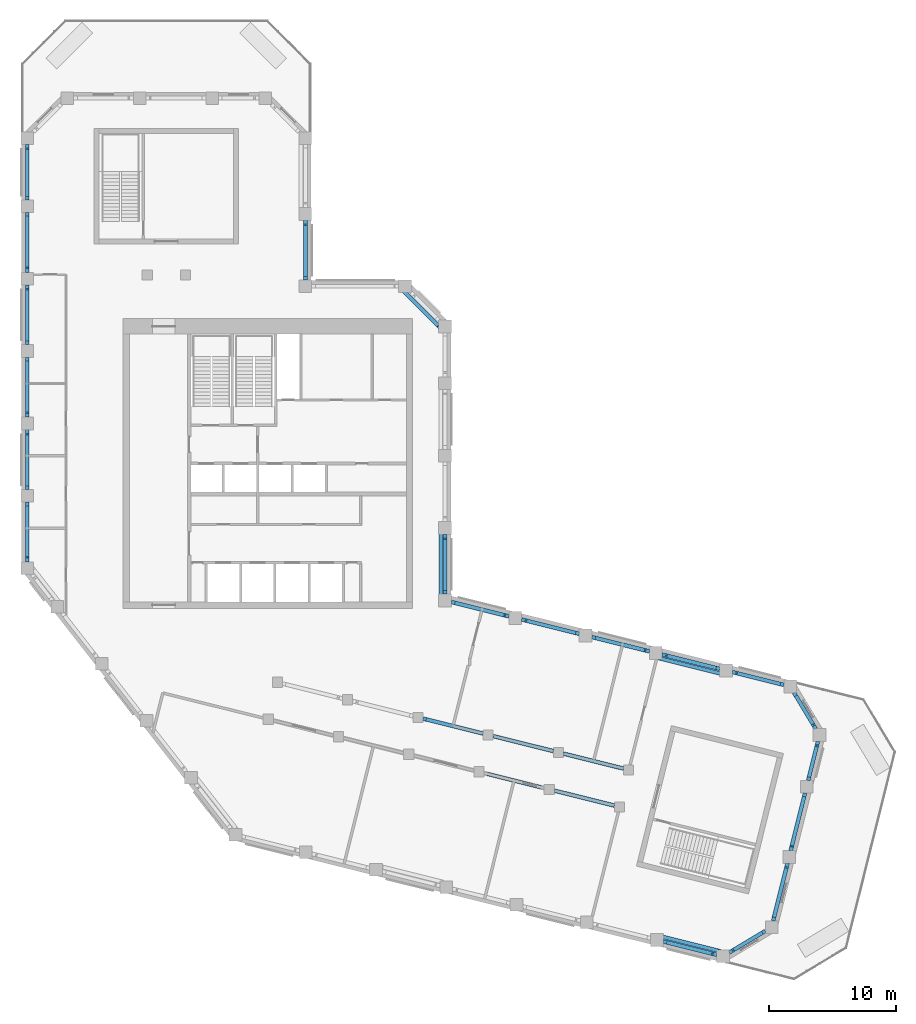
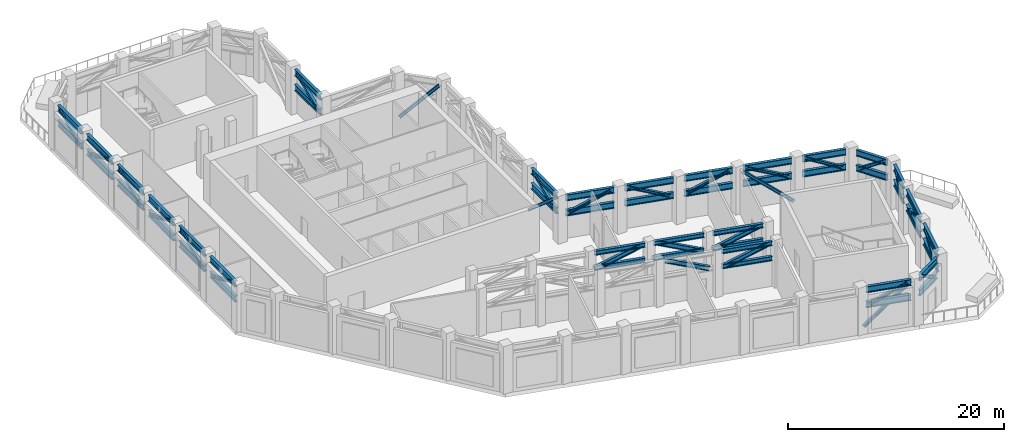
# One storey, part 2 of 8: 46 beams, 28 members.
"""IFC4 building model written with IfcOpenShell, lengths in metres."""

from ifc_helpers import new_model, si_unit, direction, frame, origin, origin_2d, place, context, subcontext, project, spatial, i_section, extrude, material, material_profile, profile_set, type_object, element, save


model = new_model("IFC4")

# Units and contexts
model_context = context("Model", 3, precision=1e-05, world=origin(), true_north=direction((0.0, 1.0)))
body_context = subcontext(model_context, "Body", "Model", "MODEL_VIEW")
ifc_project = project(units=[si_unit("LENGTHUNIT", "METRE"), si_unit("AREAUNIT", "SQUARE_METRE"), si_unit("VOLUMEUNIT", "CUBIC_METRE"), si_unit("PLANEANGLEUNIT", "RADIAN"), si_unit("MASSUNIT", "GRAM", prefix="KILO")], contexts=[model_context])

# Site, building, storey
site_placement = place(None, origin())
site = spatial("IfcSite", under=ifc_project, at=site_placement, CompositionType="ELEMENT")
building_placement = place(site_placement, origin())
building = spatial("IfcBuilding", under=site, at=building_placement, Name="Meshkara Civic Tower", CompositionType="ELEMENT")
storey_placement = place(building_placement, frame((0.0, 0.0, 348.60009765625)))
storey = spatial("IfcBuildingStorey", under=building, at=storey_placement, Name="L80", CompositionType="ELEMENT", Elevation=348.60009765625)

# Beams
ifc_material_1 = material(Name="Steel S355", Category="steel")
ifc_material_profile_1 = material_profile(ifc_material_1, i_section(OverallWidth=0.300048828125, OverallDepth=0.699951171875, WebThickness=0.01708984375, FlangeThickness=0.031982421875, FilletRadius=0.027099609375, at=origin_2d()))
ifc_profile_set_1 = profile_set([ifc_material_profile_1], Name="Steel S355")
beam_type_1 = type_object("IfcBeamType", Name="Belt truss chord HEB 700 S355", PredefinedType="BEAM", material=ifc_profile_set_1)
for number, where, z_axis, x_axis, name in (
    (1, (54.977783203125, 9.326416015625, 4.75), (-0.970298806378, 0.241909541651, 0.0), (-0.241909541651, -0.970298806378, 0.0), "Belt truss chord BBN04-BN03"),
    (2, (54.977783203125, 9.326416015625, 3.0498046875), (-0.970298806378, 0.241909541651, 0.0), (-0.241909541651, -0.970298806378, 0.0), "Belt truss chord BBN04-BN03"),
):
    element("IfcBeam", number, at=place(storey_placement, frame(where, z_axis=z_axis, x_axis=x_axis)), inside=storey, type_object=beam_type_1, Name=name, PredefinedType="BEAM", context=body_context, shape_type="SweptSolid", body=[
        extrude(i_section(OverallWidth=0.300048828125, OverallDepth=0.699951171875, WebThickness=0.01708984375, FlangeThickness=0.031982421875, FilletRadius=0.027099609375, at=origin_2d()), origin(), (0.0, 0.0, 1.0), 4.6796875),
    ])
for number, where, z_axis, x_axis, name in (
    (3, (49.447021484375, 10.70556640625, 4.75), (-0.970314102262, 0.241848181618, 0.0), (-0.241848181618, -0.970314102262, 0.0), "Belt truss chord BBN03-BN02"),
    (4, (49.447021484375, 10.70556640625, 3.0498046875), (-0.970314102262, 0.241848181618, 0.0), (-0.241848181618, -0.970314102262, 0.0), "Belt truss chord BBN03-BN02"),
):
    element("IfcBeam", number, at=place(storey_placement, frame(where, z_axis=z_axis, x_axis=x_axis)), inside=storey, type_object=beam_type_1, Name=name, PredefinedType="BEAM", context=body_context, shape_type="SweptSolid", body=[
        extrude(i_section(OverallWidth=0.300048828125, OverallDepth=0.699951171875, WebThickness=0.01708984375, FlangeThickness=0.031982421875, FilletRadius=0.027099609375, at=origin_2d()), origin(), (0.0, 0.0, 1.0), 4.679931640625),
    ])
for number, where, z_axis, x_axis, name in (
    (5, (43.916015625, 12.08447265625, 4.75), (-0.970286590806, 0.241958533023, 0.0), (-0.241958533023, -0.970286590806, 0.0), "Belt truss chord BBN02-BN01"),
    (6, (43.916015625, 12.08447265625, 3.0498046875), (-0.970286590806, 0.241958533023, 0.0), (-0.241958533023, -0.970286590806, 0.0), "Belt truss chord BBN02-BN01"),
):
    element("IfcBeam", number, at=place(storey_placement, frame(where, z_axis=z_axis, x_axis=x_axis)), inside=storey, type_object=beam_type_1, Name=name, PredefinedType="BEAM", context=body_context, shape_type="SweptSolid", body=[
        extrude(i_section(OverallWidth=0.300048828125, OverallDepth=0.699951171875, WebThickness=0.01708984375, FlangeThickness=0.031982421875, FilletRadius=0.027099609375, at=origin_2d()), origin(), (0.0, 0.0, 1.0), 4.6787109375),
    ])
for number, where, z_axis, x_axis, name in (
    (7, (38.385986328125, 13.46337890625, 4.75), (-0.970298806378, 0.241909541651, 0.0), (-0.241909541651, -0.970298806378, 0.0), "Belt truss chord BBN01-HE00"),
    (8, (38.385986328125, 13.46337890625, 3.0498046875), (-0.970298806378, 0.241909541651, 0.0), (-0.241909541651, -0.970298806378, 0.0), "Belt truss chord BBN01-HE00"),
):
    element("IfcBeam", number, at=place(storey_placement, frame(where, z_axis=z_axis, x_axis=x_axis)), inside=storey, type_object=beam_type_1, Name=name, PredefinedType="BEAM", context=body_context, shape_type="SweptSolid", body=[
        extrude(i_section(OverallWidth=0.300048828125, OverallDepth=0.699951171875, WebThickness=0.01708984375, FlangeThickness=0.031982421875, FilletRadius=0.027099609375, at=origin_2d()), origin(), (0.0, 0.0, 1.0), 4.6796875),
    ])
for number, where, z_axis, x_axis, name in (
    (9, (33.35009765625, 15.214111328125, 4.75), (0.0, 1.0, 0.0), (-1.0, 0.0, 0.0), "Belt truss chord BHE00-HE01"),
    (10, (33.35009765625, 15.214111328125, 3.0498046875), (0.0, 1.0, 0.0), (-1.0, 0.0, 0.0), "Belt truss chord BHE00-HE01"),
    (11, (22.35009765625, 39.945068359375, 4.75), (0.0, 1.0, 0.0), (-1.0, 0.0, 0.0), "Belt truss chord BHN00-AE01"),
    (12, (22.35009765625, 39.945068359375, 3.0498046875), (0.0, 1.0, 0.0), (-1.0, 0.0, 0.0), "Belt truss chord BHN00-AE01"),
):
    element("IfcBeam", number, at=place(storey_placement, frame(where, z_axis=z_axis, x_axis=x_axis)), inside=storey, type_object=beam_type_1, Name=name, PredefinedType="BEAM", context=body_context, shape_type="SweptSolid", body=[
        extrude(i_section(OverallWidth=0.300048828125, OverallDepth=0.699951171875, WebThickness=0.01708984375, FlangeThickness=0.031982421875, FilletRadius=0.027099609375, at=origin_2d()), origin(), (0.0, 0.0, 1.0), 4.7099609375),
    ])
for number, where, z_axis, x_axis, name in (
    (13, (0.449951171875, 50.618896484375, 4.75), (0.0, -1.0, 0.0), (1.0, 0.0, 0.0), "Belt truss chord BATo00-P5-AW05"),
    (14, (0.449951171875, 50.618896484375, 3.0498046875), (0.0, -1.0, 0.0), (1.0, 0.0, 0.0), "Belt truss chord BATo00-P5-AW05"),
):
    element("IfcBeam", number, at=place(storey_placement, frame(where, z_axis=z_axis, x_axis=x_axis)), inside=storey, type_object=beam_type_1, Name=name, PredefinedType="BEAM", context=body_context, shape_type="SweptSolid", body=[
        extrude(i_section(OverallWidth=0.300048828125, OverallDepth=0.699951171875, WebThickness=0.01708984375, FlangeThickness=0.031982421875, FilletRadius=0.027099609375, at=origin_2d()), origin(), (0.0, 0.0, 1.0), 4.368896484375),
    ])
for number, where, z_axis, x_axis, name in (
    (15, (0.449951171875, 45.260009765625, 4.75), (0.0, -1.0, 0.0), (1.0, 0.0, 0.0), "Belt truss chord BAW05-AW04"),
    (16, (0.449951171875, 45.260009765625, 3.0498046875), (0.0, -1.0, 0.0), (1.0, 0.0, 0.0), "Belt truss chord BAW05-AW04"),
    (17, (0.449951171875, 39.56005859375, 4.75), (0.0, -1.0, 0.0), (1.0, 0.0, 0.0), "Belt truss chord BAW04-AW03"),
    (18, (0.449951171875, 39.56005859375, 3.0498046875), (0.0, -1.0, 0.0), (1.0, 0.0, 0.0), "Belt truss chord BAW04-AW03"),
):
    element("IfcBeam", number, at=place(storey_placement, frame(where, z_axis=z_axis, x_axis=x_axis)), inside=storey, type_object=beam_type_1, Name=name, PredefinedType="BEAM", context=body_context, shape_type="SweptSolid", body=[
        extrude(i_section(OverallWidth=0.300048828125, OverallDepth=0.699951171875, WebThickness=0.01708984375, FlangeThickness=0.031982421875, FilletRadius=0.027099609375, at=origin_2d()), origin(), (0.0, 0.0, 1.0), 4.7099609375),
    ])
for number, where, z_axis, x_axis, name in (
    (19, (0.449951171875, 33.860107421875, 4.75), (0.0, -1.0, 0.0), (1.0, 0.0, 0.0), "Belt truss chord BAW03-AW02"),
    (20, (0.449951171875, 33.860107421875, 3.0498046875), (0.0, -1.0, 0.0), (1.0, 0.0, 0.0), "Belt truss chord BAW03-AW02"),
):
    element("IfcBeam", number, at=place(storey_placement, frame(where, z_axis=z_axis, x_axis=x_axis)), inside=storey, type_object=beam_type_1, Name=name, PredefinedType="BEAM", context=body_context, shape_type="SweptSolid", body=[
        extrude(i_section(OverallWidth=0.300048828125, OverallDepth=0.699951171875, WebThickness=0.01708984375, FlangeThickness=0.031982421875, FilletRadius=0.027099609375, at=origin_2d()), origin(), (0.0, 0.0, 1.0), 4.710205078125),
    ])
for number, where, z_axis, x_axis, name in (
    (21, (0.449951171875, 28.159912109375, 4.75), (0.0, -1.0, 0.0), (1.0, 0.0, 0.0), "Belt truss chord BAW02-AW01"),
    (22, (0.449951171875, 28.159912109375, 3.0498046875), (0.0, -1.0, 0.0), (1.0, 0.0, 0.0), "Belt truss chord BAW02-AW01"),
    (23, (0.449951171875, 22.4599609375, 4.75), (0.0, -1.0, 0.0), (1.0, 0.0, 0.0), "Belt truss chord BAW01-AW00"),
    (24, (0.449951171875, 22.4599609375, 3.0498046875), (0.0, -1.0, 0.0), (1.0, 0.0, 0.0), "Belt truss chord BAW01-AW00"),
):
    element("IfcBeam", number, at=place(storey_placement, frame(where, z_axis=z_axis, x_axis=x_axis)), inside=storey, type_object=beam_type_1, Name=name, PredefinedType="BEAM", context=body_context, shape_type="SweptSolid", body=[
        extrude(i_section(OverallWidth=0.300048828125, OverallDepth=0.699951171875, WebThickness=0.01708984375, FlangeThickness=0.031982421875, FilletRadius=0.027099609375, at=origin_2d()), origin(), (0.0, 0.0, 1.0), 4.7099609375),
    ])
for number, where, z_axis, x_axis, name in (
    (25, (50.530029296875, -12.135498046875, 4.75), (0.970327578285, -0.241794108321, 0.0), (0.241794108321, 0.970327578285, 0.0), "Belt truss chord BBS06-P4-BSEP5"),
    (26, (50.530029296875, -12.135498046875, 3.0498046875), (0.970327578285, -0.241794108321, 0.0), (0.241794108321, 0.970327578285, 0.0), "Belt truss chord BBS06-P4-BSEP5"),
):
    element("IfcBeam", number, at=place(storey_placement, frame(where, z_axis=z_axis, x_axis=x_axis)), inside=storey, type_object=beam_type_1, Name=name, PredefinedType="BEAM", context=body_context, shape_type="SweptSolid", body=[
        extrude(i_section(OverallWidth=0.300048828125, OverallDepth=0.699951171875, WebThickness=0.01708984375, FlangeThickness=0.031982421875, FilletRadius=0.027099609375, at=origin_2d()), origin(), (0.0, 0.0, 1.0), 4.338623046875),
    ])
for number, where, z_axis, x_axis, name in (
    (27, (55.730712890625, -13.010009765625, 4.75), (0.857167033004, 0.515038520434, 0.0), (-0.515038520434, 0.857167033004, 0.0), "Belt truss chord BBSEP5-BToEP5"),
    (28, (55.730712890625, -13.010009765625, 3.0498046875), (0.857167033004, 0.515038520434, 0.0), (-0.515038520434, 0.857167033004, 0.0), "Belt truss chord BBSEP5-BToEP5"),
):
    element("IfcBeam", number, at=place(storey_placement, frame(where, z_axis=z_axis, x_axis=x_axis)), inside=storey, type_object=beam_type_1, Name=name, PredefinedType="BEAM", context=body_context, shape_type="SweptSolid", body=[
        extrude(i_section(OverallWidth=0.300048828125, OverallDepth=0.699951171875, WebThickness=0.01708984375, FlangeThickness=0.031982421875, FilletRadius=0.027099609375, at=origin_2d()), origin(), (0.0, 0.0, 1.0), 3.306884765625),
    ])
for number, where, z_axis, x_axis, name in (
    (29, (59.1845703125, -10.513916015625, 4.75), (0.24186042428, 0.970311050729, 0.0), (-0.970311050729, 0.24186042428, 0.0), "Belt truss chord BBToEP5-BT01-P5"),
    (30, (59.1845703125, -10.513916015625, 3.0498046875), (0.24186042428, 0.970311050729, 0.0), (-0.970311050729, 0.24186042428, 0.0), "Belt truss chord BBToEP5-BT01-P5"),
):
    element("IfcBeam", number, at=place(storey_placement, frame(where, z_axis=z_axis, x_axis=x_axis)), inside=storey, type_object=beam_type_1, Name=name, PredefinedType="BEAM", context=body_context, shape_type="SweptSolid", body=[
        extrude(i_section(OverallWidth=0.300048828125, OverallDepth=0.699951171875, WebThickness=0.01708984375, FlangeThickness=0.031982421875, FilletRadius=0.027099609375, at=origin_2d()), origin(), (0.0, 0.0, 1.0), 4.6796875),
    ])
for number, where, z_axis, x_axis, name in (
    (31, (60.5634765625, -4.98291015625, 4.75), (0.241958533023, 0.970286590806, 0.0), (-0.970286590806, 0.241958533023, 0.0), "Belt truss chord BBT01-P5-BT02-P5"),
    (32, (60.5634765625, -4.98291015625, 3.0498046875), (0.241958533023, 0.970286590806, 0.0), (-0.970286590806, 0.241958533023, 0.0), "Belt truss chord BBT01-P5-BT02-P5"),
):
    element("IfcBeam", number, at=place(storey_placement, frame(where, z_axis=z_axis, x_axis=x_axis)), inside=storey, type_object=beam_type_1, Name=name, PredefinedType="BEAM", context=body_context, shape_type="SweptSolid", body=[
        extrude(i_section(OverallWidth=0.300048828125, OverallDepth=0.699951171875, WebThickness=0.01708984375, FlangeThickness=0.031982421875, FilletRadius=0.027099609375, at=origin_2d()), origin(), (0.0, 0.0, 1.0), 4.6787109375),
    ])
for number, where, z_axis, x_axis, name in (
    (33, (61.9423828125, 0.547119140625, 4.75), (0.241918829488, 0.970296490738, 0.0), (-0.970296490738, 0.241918829488, 0.0), "Belt truss chord BBT02-P5-BTEP5"),
    (34, (61.9423828125, 0.547119140625, 3.0498046875), (0.241918829488, 0.970296490738, 0.0), (-0.970296490738, 0.241918829488, 0.0), "Belt truss chord BBT02-P5-BTEP5"),
):
    element("IfcBeam", number, at=place(storey_placement, frame(where, z_axis=z_axis, x_axis=x_axis)), inside=storey, type_object=beam_type_1, Name=name, PredefinedType="BEAM", context=body_context, shape_type="SweptSolid", body=[
        extrude(i_section(OverallWidth=0.300048828125, OverallDepth=0.699951171875, WebThickness=0.01708984375, FlangeThickness=0.031982421875, FilletRadius=0.027099609375, at=origin_2d()), origin(), (0.0, 0.0, 1.0), 3.166748046875),
    ])
for number, where, z_axis, x_axis, name in (
    (35, (62.5341796875, 4.610595703125, 4.75), (-0.515060169575, 0.8571540245, 0.0), (-0.8571540245, -0.515060169575, 0.0), "Belt truss chord BBTEP5-BTi00-P5"),
    (36, (62.5341796875, 4.610595703125, 3.0498046875), (-0.515060169575, 0.8571540245, 0.0), (-0.8571540245, -0.515060169575, 0.0), "Belt truss chord BBTEP5-BTi00-P5"),
):
    element("IfcBeam", number, at=place(storey_placement, frame(where, z_axis=z_axis, x_axis=x_axis)), inside=storey, type_object=beam_type_1, Name=name, PredefinedType="BEAM", context=body_context, shape_type="SweptSolid", body=[
        extrude(i_section(OverallWidth=0.300048828125, OverallDepth=0.699951171875, WebThickness=0.01708984375, FlangeThickness=0.031982421875, FilletRadius=0.027099609375, at=origin_2d()), origin(), (0.0, 0.0, 1.0), 3.30712890625),
    ])
for number, where, z_axis, x_axis, name in (
    (37, (60.037841796875, 8.064453125, 4.75), (-0.970272465199, 0.242015171584, 0.0), (-0.242015171584, -0.970272465199, 0.0), "Belt truss chord BBTi00-P5-BN04"),
    (38, (60.037841796875, 8.064453125, 3.0498046875), (-0.970272465199, 0.242015171584, 0.0), (-0.242015171584, -0.970272465199, 0.0), "Belt truss chord BBTi00-P5-BN04"),
):
    element("IfcBeam", number, at=place(storey_placement, frame(where, z_axis=z_axis, x_axis=x_axis)), inside=storey, type_object=beam_type_1, Name=name, PredefinedType="BEAM", context=body_context, shape_type="SweptSolid", body=[
        extrude(i_section(OverallWidth=0.300048828125, OverallDepth=0.699951171875, WebThickness=0.01708984375, FlangeThickness=0.031982421875, FilletRadius=0.027099609375, at=origin_2d()), origin(), (0.0, 0.0, 1.0), 4.194580078125),
    ])
ifc_material_2 = material(Name="Steel S355", Category="steel")
ifc_material_profile_2 = material_profile(ifc_material_2, i_section(OverallWidth=0.300048828125, OverallDepth=0.5, WebThickness=0.014404296875, FlangeThickness=0.028076171875, FilletRadius=0.027099609375, at=origin_2d()))
ifc_profile_set_2 = profile_set([ifc_material_profile_2], Name="Steel S355")
beam_type_2 = type_object("IfcBeamType", Name="Outrigger chord HEB 500 S355", PredefinedType="BEAM", material=ifc_profile_set_2)
for number, where, z_axis, x_axis, name in (
    (39, (41.941162109375, -0.25439453125, 4.849853515625), (0.970289288356, -0.241947715224, 0.0), (0.241947715224, 0.970289288356, 0.0), "Outrigger chord OSB1-SB1-04-SB1-05"),
    (40, (41.941162109375, -0.25439453125, 3.14990234375), (0.970289288356, -0.241947715224, 0.0), (0.241947715224, 0.970289288356, 0.0), "Outrigger chord OSB1-SB1-04-SB1-05"),
    (41, (31.606201171875, 5.41455078125, 4.849853515625), (0.970289288356, -0.241947715224, 0.0), (0.241947715224, 0.970289288356, 0.0), "Outrigger chord OSB2-SB2-02-SB2-03"),
    (42, (31.606201171875, 5.41455078125, 3.14990234375), (0.970289288356, -0.241947715224, 0.0), (0.241947715224, 0.970289288356, 0.0), "Outrigger chord OSB2-SB2-02-SB2-03"),
):
    element("IfcBeam", number, at=place(storey_placement, frame(where, z_axis=z_axis, x_axis=x_axis)), inside=storey, type_object=beam_type_2, Name=name, PredefinedType="BEAM", context=body_context, shape_type="SweptSolid", body=[
        extrude(i_section(OverallWidth=0.300048828125, OverallDepth=0.5, WebThickness=0.014404296875, FlangeThickness=0.028076171875, FilletRadius=0.027099609375, at=origin_2d()), origin(), (0.0, 0.0, 1.0), 4.885986328125),
    ])
for number, where, z_axis, x_axis, name in (
    (43, (37.13720703125, 4.035400390625, 4.849853515625), (0.970289318567, -0.241947594065, 0.0), (0.241947594065, 0.970289318567, 0.0), "Outrigger chord OSB2-SB2-03-SB2-04"),
    (44, (37.13720703125, 4.035400390625, 3.14990234375), (0.970289318567, -0.241947594065, 0.0), (0.241947594065, 0.970289318567, 0.0), "Outrigger chord OSB2-SB2-03-SB2-04"),
):
    element("IfcBeam", number, at=place(storey_placement, frame(where, z_axis=z_axis, x_axis=x_axis)), inside=storey, type_object=beam_type_2, Name=name, PredefinedType="BEAM", context=body_context, shape_type="SweptSolid", body=[
        extrude(i_section(OverallWidth=0.300048828125, OverallDepth=0.5, WebThickness=0.014404296875, FlangeThickness=0.028076171875, FilletRadius=0.027099609375, at=origin_2d()), origin(), (0.0, 0.0, 1.0), 4.884765625),
    ])
for number, where, z_axis, x_axis, name in (
    (45, (42.6669921875, 2.656494140625, 4.849853515625), (0.970303941717, -0.241888942883, 0.0), (0.241888942883, 0.970303941717, 0.0), "Outrigger chord OSB2-SB2-04-SB2-05"),
    (46, (42.6669921875, 2.656494140625, 3.14990234375), (0.970303941717, -0.241888942883, 0.0), (0.241888942883, 0.970303941717, 0.0), "Outrigger chord OSB2-SB2-04-SB2-05"),
):
    element("IfcBeam", number, at=place(storey_placement, frame(where, z_axis=z_axis, x_axis=x_axis)), inside=storey, type_object=beam_type_2, Name=name, PredefinedType="BEAM", context=body_context, shape_type="SweptSolid", body=[
        extrude(i_section(OverallWidth=0.300048828125, OverallDepth=0.5, WebThickness=0.014404296875, FlangeThickness=0.028076171875, FilletRadius=0.027099609375, at=origin_2d()), origin(), (0.0, 0.0, 1.0), 4.885986328125),
    ])

# Members
ifc_material_3 = material(Name="Steel S355", Category="steel")
ifc_material_profile_3 = material_profile(ifc_material_3, i_section(OverallWidth=0.300048828125, OverallDepth=0.489990234375, WebThickness=0.011962890625, FlangeThickness=0.02294921875, FilletRadius=0.027099609375, at=origin_2d()))
ifc_profile_set_3 = profile_set([ifc_material_profile_3], Name="Steel S355")
member_type_1 = type_object("IfcMemberType", Name="Truss diagonal HEA 500 S355", PredefinedType="BRACE", material=ifc_profile_set_3)
member_1_placement = place(storey_placement, frame((36.750732421875, 1.039794921875, 4.849853515625), z_axis=(0.898944691666, -0.22419568188, -0.376343908614), x_axis=(0.241986521534, 0.970279610935, 0.0)))
element("IfcMember", 47, at=member_1_placement, inside=storey, type_object=member_type_1, Name="TD-OSB1-SB1-03-SB1-04-L80", PredefinedType="BRACE", context=body_context, shape_type="SweptSolid", body=[
    extrude(i_section(OverallWidth=0.300048828125, OverallDepth=0.489990234375, WebThickness=0.011962890625, FlangeThickness=0.02294921875, FilletRadius=0.027099609375, at=origin_2d()), origin(), (0.0, 0.0, 1.0), 4.51708984375),
])
member_2_placement = place(storey_placement, frame((42.28076171875, -0.339111328125, 3.14990234375), z_axis=(0.89898616733, -0.224152117221, 0.376270779221), x_axis=(0.241931743652, 0.970293270828, 0.0)))
element("IfcMember", 48, at=member_2_placement, inside=storey, type_object=member_type_1, Name="TD-OSB1-SB1-04-SB1-05-L80", PredefinedType="BRACE", context=body_context, shape_type="SweptSolid", body=[
    extrude(i_section(OverallWidth=0.300048828125, OverallDepth=0.489990234375, WebThickness=0.011962890625, FlangeThickness=0.02294921875, FilletRadius=0.027099609375, at=origin_2d()), origin(), (0.0, 0.0, 1.0), 4.517822265625),
])
member_3_placement = place(storey_placement, frame((31.94580078125, 5.329833984375, 3.14990234375), z_axis=(0.898975800681, -0.224163006987, 0.376289059221), x_axis=(0.24194543587, 0.970289856724, 0.0)))
element("IfcMember", 49, at=member_3_placement, inside=storey, type_object=member_type_1, Name="TD-OSB2-SB2-02-SB2-03-L80", PredefinedType="BRACE", context=body_context, shape_type="SweptSolid", body=[
    extrude(i_section(OverallWidth=0.300048828125, OverallDepth=0.489990234375, WebThickness=0.011962890625, FlangeThickness=0.02294921875, FilletRadius=0.027099609375, at=origin_2d()), origin(), (0.0, 0.0, 1.0), 4.517578125),
])
member_4_placement = place(storey_placement, frame((37.476806640625, 3.95068359375, 4.849853515625), z_axis=(0.898955583582, -0.224144348552, -0.376348468523), x_axis=(0.241931598384, 0.970293307049, 0.0)))
element("IfcMember", 50, at=member_4_placement, inside=storey, type_object=member_type_1, Name="TD-OSB2-SB2-03-SB2-04-L80", PredefinedType="BRACE", context=body_context, shape_type="SweptSolid", body=[
    extrude(i_section(OverallWidth=0.300048828125, OverallDepth=0.489990234375, WebThickness=0.011962890625, FlangeThickness=0.02294921875, FilletRadius=0.027099609375, at=origin_2d()), origin(), (0.0, 0.0, 1.0), 4.516845703125),
])
member_5_placement = place(storey_placement, frame((43.0068359375, 2.57177734375, 3.14990234375), z_axis=(0.898975800681, -0.224163006987, 0.376289059221), x_axis=(0.24194543587, 0.970289856724, 0.0)))
element("IfcMember", 51, at=member_5_placement, inside=storey, type_object=member_type_1, Name="TD-OSB2-SB2-04-SB2-05-L80", PredefinedType="BRACE", context=body_context, shape_type="SweptSolid", body=[
    extrude(i_section(OverallWidth=0.300048828125, OverallDepth=0.489990234375, WebThickness=0.011962890625, FlangeThickness=0.02294921875, FilletRadius=0.027099609375, at=origin_2d()), origin(), (0.0, 0.0, 1.0), 4.517578125),
])
ifc_material_4 = material(Name="Steel S355", Category="steel")
ifc_material_profile_4 = material_profile(ifc_material_4, i_section(OverallWidth=0.300048828125, OverallDepth=0.300048828125, WebThickness=0.010986328125, FlangeThickness=0.01904296875, FilletRadius=0.027099609375, at=origin_2d()))
ifc_profile_set_4 = profile_set([ifc_material_profile_4], Name="Steel S355")
member_type_2 = type_object("IfcMemberType", Name="Truss diagonal HEB 300 S355", PredefinedType="BRACE", material=ifc_profile_set_4)
member_6_placement = place(storey_placement, frame((54.63818359375, 9.4111328125, 3.0498046875), z_axis=(-0.892278030568, 0.222448929851, 0.392882157617), x_axis=(-0.241900427004, -0.970301078746, 0.0)))
element("IfcMember", 52, at=member_6_placement, inside=storey, type_object=member_type_2, Name="TD-BBN04-BN03-L80", PredefinedType="BRACE", context=body_context, shape_type="SweptSolid", body=[
    extrude(i_section(OverallWidth=0.300048828125, OverallDepth=0.300048828125, WebThickness=0.010986328125, FlangeThickness=0.01904296875, FilletRadius=0.027099609375, at=origin_2d()), origin(), (0.0, 0.0, 1.0), 4.327392578125),
])
member_7_placement = place(storey_placement, frame((49.107177734375, 10.7900390625, 4.75), z_axis=(-0.892266831524, 0.222502553334, -0.392877226526), x_axis=(-0.241958185146, -0.970286677555, 0.0)))
element("IfcMember", 53, at=member_7_placement, inside=storey, type_object=member_type_2, Name="TD-BBN03-BN02-L80", PredefinedType="BRACE", context=body_context, shape_type="SweptSolid", body=[
    extrude(i_section(OverallWidth=0.300048828125, OverallDepth=0.300048828125, WebThickness=0.010986328125, FlangeThickness=0.01904296875, FilletRadius=0.027099609375, at=origin_2d()), origin(), (0.0, 0.0, 1.0), 4.32763671875),
])
member_8_placement = place(storey_placement, frame((43.576416015625, 12.169189453125, 3.0498046875), z_axis=(-0.892243523154, 0.222482527781, 0.392941497201), x_axis=(-0.241943633537, -0.970290306141, 0.0)))
element("IfcMember", 54, at=member_8_placement, inside=storey, type_object=member_type_2, Name="TD-BBN02-BN01-L80", PredefinedType="BRACE", context=body_context, shape_type="SweptSolid", body=[
    extrude(i_section(OverallWidth=0.300048828125, OverallDepth=0.300048828125, WebThickness=0.010986328125, FlangeThickness=0.01904296875, FilletRadius=0.027099609375, at=origin_2d()), origin(), (0.0, 0.0, 1.0), 4.326904296875),
])
member_9_placement = place(storey_placement, frame((38.046142578125, 13.548095703125, 4.75), z_axis=(-0.892266831524, 0.222502553334, -0.392877226526), x_axis=(-0.241958185146, -0.970286677555, 0.0)))
element("IfcMember", 55, at=member_9_placement, inside=storey, type_object=member_type_2, Name="TD-BBN01-HE00-L80", PredefinedType="BRACE", context=body_context, shape_type="SweptSolid", body=[
    extrude(i_section(OverallWidth=0.300048828125, OverallDepth=0.300048828125, WebThickness=0.010986328125, FlangeThickness=0.01904296875, FilletRadius=0.027099609375, at=origin_2d()), origin(), (0.0, 0.0, 1.0), 4.32763671875),
])
for number, where, z_axis, x_axis, name in (
    (56, (33.35009765625, 15.56396484375, 3.0498046875), (0.0, 0.920666035826, 0.390351188645), (-1.0, 0.0, 0.0), "TD-BHE00-HE01-L80"),
    (57, (22.35009765625, 40.294921875, 3.0498046875), (0.0, 0.920666035826, 0.390351188645), (-1.0, 0.0, 0.0), "TD-BHN00-AE01-L80"),
):
    element("IfcMember", number, at=place(storey_placement, frame(where, z_axis=z_axis, x_axis=x_axis)), inside=storey, type_object=member_type_2, Name=name, PredefinedType="BRACE", context=body_context, shape_type="SweptSolid", body=[
        extrude(i_section(OverallWidth=0.300048828125, OverallDepth=0.300048828125, WebThickness=0.010986328125, FlangeThickness=0.01904296875, FilletRadius=0.027099609375, at=origin_2d()), origin(), (0.0, 0.0, 1.0), 4.35546875),
    ])
member_10_placement = place(storey_placement, frame((0.449951171875, 50.26904296875, 4.75), z_axis=(0.0, -0.907315100603, -0.420451314919), x_axis=(1.0, 0.0, 0.0)))
element("IfcMember", 58, at=member_10_placement, inside=storey, type_object=member_type_2, Name="TD-BATo00-P5-AW05-L80", PredefinedType="BRACE", context=body_context, shape_type="SweptSolid", body=[
    extrude(i_section(OverallWidth=0.300048828125, OverallDepth=0.300048828125, WebThickness=0.010986328125, FlangeThickness=0.01904296875, FilletRadius=0.027099609375, at=origin_2d()), origin(), (0.0, 0.0, 1.0), 4.043701171875),
])
for number, where, z_axis, x_axis, name in (
    (59, (0.449951171875, 44.909912109375, 3.0498046875), (0.0, -0.920666035826, 0.390351188645), (1.0, 0.0, 0.0), "TD-BAW05-AW04-L80"),
    (60, (0.449951171875, 39.2099609375, 4.75), (0.0, -0.920666035826, -0.390351188645), (1.0, 0.0, 0.0), "TD-BAW04-AW03-L80"),
    (61, (0.449951171875, 33.510009765625, 3.0498046875), (0.0, -0.920666035826, 0.390351188645), (1.0, 0.0, 0.0), "TD-BAW03-AW02-L80"),
    (62, (0.449951171875, 27.81005859375, 4.75), (0.0, -0.920666035826, -0.390351188645), (1.0, 0.0, 0.0), "TD-BAW02-AW01-L80"),
    (63, (0.449951171875, 22.110107421875, 3.0498046875), (0.0, -0.920666035826, 0.390351188645), (1.0, 0.0, 0.0), "TD-BAW01-AW00-L80"),
):
    element("IfcMember", number, at=place(storey_placement, frame(where, z_axis=z_axis, x_axis=x_axis)), inside=storey, type_object=member_type_2, Name=name, PredefinedType="BRACE", context=body_context, shape_type="SweptSolid", body=[
        extrude(i_section(OverallWidth=0.300048828125, OverallDepth=0.300048828125, WebThickness=0.010986328125, FlangeThickness=0.01904296875, FilletRadius=0.027099609375, at=origin_2d()), origin(), (0.0, 0.0, 1.0), 4.35546875),
    ])
member_11_placement = place(storey_placement, frame((50.869873046875, -12.219970703125, 3.0498046875), z_axis=(0.879055908897, -0.219156054742, 0.423357216429), x_axis=(0.241904021984, 0.970300182494, 0.0)))
element("IfcMember", 64, at=member_11_placement, inside=storey, type_object=member_type_2, Name="TD-BBS06-P4-BSEP5-L80", PredefinedType="BRACE", context=body_context, shape_type="SweptSolid", body=[
    extrude(i_section(OverallWidth=0.300048828125, OverallDepth=0.300048828125, WebThickness=0.010986328125, FlangeThickness=0.01904296875, FilletRadius=0.027099609375, at=origin_2d()), origin(), (0.0, 0.0, 1.0), 4.015869140625),
])
member_12_placement = place(storey_placement, frame((56.03076171875, -12.829833984375, 4.75), z_axis=(0.717965819594, 0.431422703788, -0.546259583487), x_axis=(-0.515060282165, 0.857153956846, 0.0)))
element("IfcMember", 65, at=member_12_placement, inside=storey, type_object=member_type_2, Name="TD-BBSEP5-BToEP5-L80", PredefinedType="BRACE", context=body_context, shape_type="SweptSolid", body=[
    extrude(i_section(OverallWidth=0.300048828125, OverallDepth=0.300048828125, WebThickness=0.010986328125, FlangeThickness=0.01904296875, FilletRadius=0.027099609375, at=origin_2d()), origin(), (0.0, 0.0, 1.0), 3.112548828125),
])
member_13_placement = place(storey_placement, frame((59.26904296875, -10.17431640625, 3.0498046875), z_axis=(0.222491353572, 0.892278331504, 0.392857450882), x_axis=(-0.970290268802, 0.241943783281, 0.0)))
element("IfcMember", 66, at=member_13_placement, inside=storey, type_object=member_type_2, Name="TD-BBToEP5-BT01-P5-L80", PredefinedType="BRACE", context=body_context, shape_type="SweptSolid", body=[
    extrude(i_section(OverallWidth=0.300048828125, OverallDepth=0.300048828125, WebThickness=0.010986328125, FlangeThickness=0.01904296875, FilletRadius=0.027099609375, at=origin_2d()), origin(), (0.0, 0.0, 1.0), 4.327880859375),
])
member_14_placement = place(storey_placement, frame((60.648193359375, -4.643310546875, 4.75), z_axis=(0.222482527781, 0.892243523154, -0.392941497201), x_axis=(-0.970290306141, 0.241943633537, 0.0)))
element("IfcMember", 67, at=member_14_placement, inside=storey, type_object=member_type_2, Name="TD-BBT01-P5-BT02-P5-L80", PredefinedType="BRACE", context=body_context, shape_type="SweptSolid", body=[
    extrude(i_section(OverallWidth=0.300048828125, OverallDepth=0.300048828125, WebThickness=0.010986328125, FlangeThickness=0.01904296875, FilletRadius=0.027099609375, at=origin_2d()), origin(), (0.0, 0.0, 1.0), 4.326904296875),
])
member_15_placement = place(storey_placement, frame((62.027099609375, 0.88671875, 3.0498046875), z_axis=(0.199161228311, 0.798926629443, 0.567495414876), x_axis=(-0.97030529101, 0.241883530317, 0.0)))
element("IfcMember", 68, at=member_15_placement, inside=storey, type_object=member_type_2, Name="TD-BBT02-P5-BTEP5-L80", PredefinedType="BRACE", context=body_context, shape_type="SweptSolid", body=[
    extrude(i_section(OverallWidth=0.300048828125, OverallDepth=0.300048828125, WebThickness=0.010986328125, FlangeThickness=0.01904296875, FilletRadius=0.027099609375, at=origin_2d()), origin(), (0.0, 0.0, 1.0), 2.995849609375),
])
member_16_placement = place(storey_placement, frame((62.35400390625, 4.91064453125, 4.75), z_axis=(-0.431486541259, 0.717941521931, -0.546241096769), x_axis=(-0.8571126121, -0.515129081084, 0.0)))
element("IfcMember", 69, at=member_16_placement, inside=storey, type_object=member_type_2, Name="TD-BBTEP5-BTi00-P5-L80", PredefinedType="BRACE", context=body_context, shape_type="SweptSolid", body=[
    extrude(i_section(OverallWidth=0.300048828125, OverallDepth=0.300048828125, WebThickness=0.010986328125, FlangeThickness=0.01904296875, FilletRadius=0.027099609375, at=origin_2d()), origin(), (0.0, 0.0, 1.0), 3.112548828125),
])
member_17_placement = place(storey_placement, frame((59.6982421875, 8.149169921875, 3.0498046875), z_axis=(-0.872487923631, 0.217619395698, 0.437500424839), x_axis=(-0.242009553131, -0.970273866593, 0.0)))
element("IfcMember", 70, at=member_17_placement, inside=storey, type_object=member_type_2, Name="TD-BBTi00-P5-BN04-L80", PredefinedType="BRACE", context=body_context, shape_type="SweptSolid", body=[
    extrude(i_section(OverallWidth=0.300048828125, OverallDepth=0.300048828125, WebThickness=0.010986328125, FlangeThickness=0.01904296875, FilletRadius=0.027099609375, at=origin_2d()), origin(), (0.0, 0.0, 1.0), 3.88623046875),
])
member_18_placement = place(storey_placement, frame((55.016845703125, 8.96630859375, 0.349853515625), z_axis=(-0.730557825255, 0.182153713079, 0.65810735353), x_axis=(-0.241928384724, -0.970294108333, 0.0)))
element("IfcMember", 71, at=member_18_placement, inside=storey, type_object=member_type_2, Name="TD-XBN04-BN03-L80", PredefinedType="BRACE", context=body_context, shape_type="SweptSolid", body=[
    extrude(i_section(OverallWidth=0.300048828125, OverallDepth=0.300048828125, WebThickness=0.010986328125, FlangeThickness=0.01904296875, FilletRadius=0.027099609375, at=origin_2d()), origin(), (0.0, 0.0, 1.0), 6.533935546875),
])
member_19_placement = place(storey_placement, frame((33.010009765625, 15.09912109375, 4.64990234375), z_axis=(0.0, 0.75426916486, -0.656565325723), x_axis=(-1.0, 0.0, 0.0)))
element("IfcMember", 72, at=member_19_placement, inside=storey, type_object=member_type_2, Name="TD-XHE00-HE01-L80", PredefinedType="BRACE", context=body_context, shape_type="SweptSolid", body=[
    extrude(i_section(OverallWidth=0.300048828125, OverallDepth=0.300048828125, WebThickness=0.010986328125, FlangeThickness=0.01904296875, FilletRadius=0.027099609375, at=origin_2d()), origin(), (0.0, 0.0, 1.0), 6.54931640625),
])
member_20_placement = place(storey_placement, frame((32.892333984375, 36.270751953125, 4.64990234375), z_axis=(-0.471605682547, 0.471605682547, -0.745101443012), x_axis=(-0.707106781187, -0.707106781187, 0.0)))
element("IfcMember", 73, at=member_20_placement, inside=storey, type_object=member_type_2, Name="TD-XHEE-HCeE-L80", PredefinedType="BRACE", context=body_context, shape_type="SweptSolid", body=[
    extrude(i_section(OverallWidth=0.300048828125, OverallDepth=0.300048828125, WebThickness=0.010986328125, FlangeThickness=0.01904296875, FilletRadius=0.027099609375, at=origin_2d()), origin(), (0.0, 0.0, 1.0), 5.77099609375),
])
member_21_placement = place(storey_placement, frame((50.4912109375, -11.775390625, 0.349853515625), z_axis=(0.707272578837, -0.17627396928, 0.684611559192), x_axis=(0.241832914392, 0.970317907449, 0.0)))
element("IfcMember", 74, at=member_21_placement, inside=storey, type_object=member_type_2, Name="TD-XBS06-P4-BSEP5-L80", PredefinedType="BRACE", context=body_context, shape_type="SweptSolid", body=[
    extrude(i_section(OverallWidth=0.300048828125, OverallDepth=0.300048828125, WebThickness=0.010986328125, FlangeThickness=0.01904296875, FilletRadius=0.027099609375, at=origin_2d()), origin(), (0.0, 0.0, 1.0), 6.281005859375),
])

save(model, "model.ifc")
